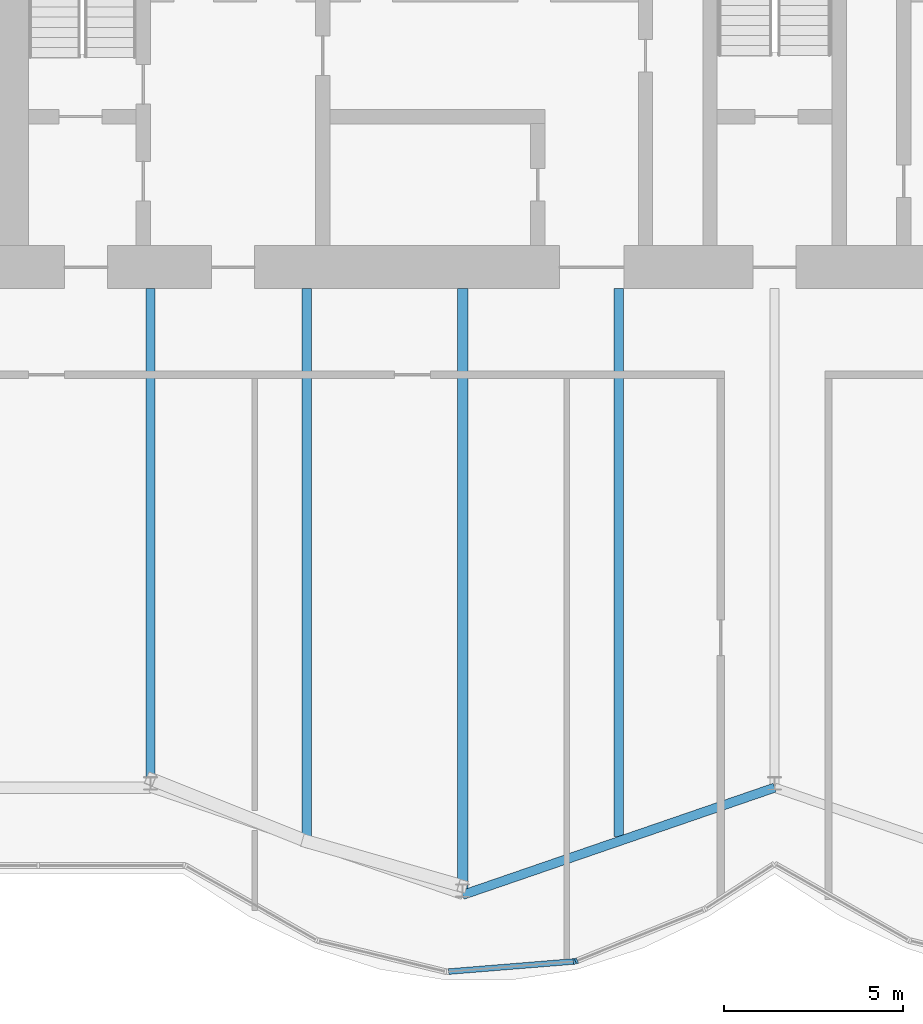
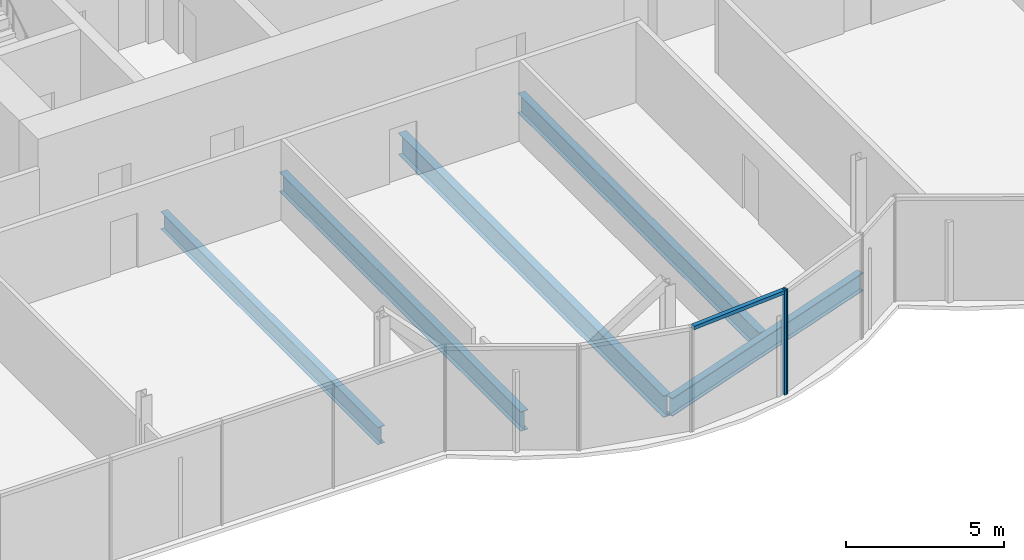
# One storey, part 6 of 19: 5 beams, 3 members, 1 element without a shape of its own.
"""IFC4 building model written with IfcOpenShell, lengths in metres."""

from ifc_helpers import new_model, si_unit, direction, frame, origin, origin_2d, place, context, subcontext, project, spatial, rectangle, i_section, extrude, material, material_profile, profile_set, type_object, element, aggregate, save


model = new_model("IFC4")

# Units and contexts
model_context = context("Model", 3, precision=1e-05, world=origin(), true_north=direction((0.0, 1.0)))
body_context = subcontext(model_context, "Body", "Model", "MODEL_VIEW")
ifc_project = project(units=[si_unit("LENGTHUNIT", "METRE"), si_unit("AREAUNIT", "SQUARE_METRE"), si_unit("VOLUMEUNIT", "CUBIC_METRE"), si_unit("PLANEANGLEUNIT", "RADIAN"), si_unit("MASSUNIT", "GRAM", prefix="KILO")], contexts=[model_context])

# Site, building, storey
site_placement = place(None, origin())
site = spatial("IfcSite", under=ifc_project, at=site_placement, CompositionType="ELEMENT")
building_placement = place(site_placement, origin())
building = spatial("IfcBuilding", under=site, at=building_placement, Name="Bicima Exchange Tower", CompositionType="ELEMENT")
storey_placement = place(building_placement, frame((0.0, 0.0, 258.199951171875)))
storey = spatial("IfcBuildingStorey", under=building, at=storey_placement, Name="L58", CompositionType="ELEMENT", Elevation=258.199951171875)

# Beams
ifc_material_1 = material(Name="Steel ASTM A992 Gr 50", Category="steel")
ifc_material_profile_1 = material_profile(ifc_material_1, i_section(OverallWidth=0.25390625, OverallDepth=0.67822265625, WebThickness=0.01171875, FlangeThickness=0.016357421875, at=origin_2d()))
ifc_profile_set_1 = profile_set([ifc_material_profile_1], Name="Steel ASTM A992 Gr 50")
beam_type_1 = type_object("IfcBeamType", Name="Floor beam W27x84", PredefinedType="JOIST", material=ifc_profile_set_1)
beam_1_placement = place(storey_placement, frame((-17.39990234375, -13.0, -0.489013671875), z_axis=(0.0, -1.0, 0.0), x_axis=(1.0, 0.0, 0.0)))
element("IfcBeam", 1, at=beam_1_placement, inside=storey, type_object=beam_type_1, Name="Floor beam", PredefinedType="JOIST", context=body_context, shape_type="SweptSolid", body=[
    extrude(i_section(OverallWidth=0.25390625, OverallDepth=0.67822265625, WebThickness=0.01171875, FlangeThickness=0.016357421875, at=origin_2d()), origin(), (0.0, 0.0, 1.0), 13.74951171875),
])
ifc_material_profile_2 = material_profile(ifc_material_1, i_section(OverallWidth=0.2666015625, OverallDepth=0.75439453125, WebThickness=0.01318359375, FlangeThickness=0.01708984375, at=origin_2d()))
ifc_profile_set_2 = profile_set([ifc_material_profile_2], Name="Steel ASTM A992 Gr 50")
beam_type_2 = type_object("IfcBeamType", Name="Floor beam W30x99", PredefinedType="JOIST", material=ifc_profile_set_2)
for number, where, z_axis, x_axis, name in (
    (2, (-13.050048828125, -13.0, -0.527099609375), (0.0, -1.0, 0.0), (1.0, 0.0, 0.0), "Floor beam"),
    (3, (-4.35009765625, -13.0, -0.527099609375), (0.0, -1.0, 0.0), (1.0, 0.0, 0.0), "Floor beam"),
):
    element("IfcBeam", number, at=place(storey_placement, frame(where, z_axis=z_axis, x_axis=x_axis)), inside=storey, type_object=beam_type_2, Name=name, PredefinedType="JOIST", context=body_context, shape_type="SweptSolid", body=[
        extrude(i_section(OverallWidth=0.2666015625, OverallDepth=0.75439453125, WebThickness=0.01318359375, FlangeThickness=0.01708984375, at=origin_2d()), origin(), (0.0, 0.0, 1.0), 15.27197265625),
    ])
ifc_material_profile_3 = material_profile(ifc_material_1, i_section(OverallWidth=0.2919921875, OverallDepth=0.835693359375, WebThickness=0.013916015625, FlangeThickness=0.018798828125, at=origin_2d()))
ifc_profile_set_3 = profile_set([ifc_material_profile_3], Name="Steel ASTM A992 Gr 50")
beam_type_3 = type_object("IfcBeamType", Name="Floor beam W33x118", PredefinedType="JOIST", material=ifc_profile_set_3)
beam_2_placement = place(storey_placement, frame((-8.699951171875, -13.0, -0.56787109375), z_axis=(0.0, -1.0, 0.0), x_axis=(1.0, 0.0, 0.0)))
element("IfcBeam", 4, at=beam_2_placement, inside=storey, type_object=beam_type_3, Name="Floor beam", PredefinedType="JOIST", context=body_context, shape_type="SweptSolid", body=[
    extrude(i_section(OverallWidth=0.2919921875, OverallDepth=0.835693359375, WebThickness=0.013916015625, FlangeThickness=0.018798828125, at=origin_2d()), origin(), (0.0, 0.0, 1.0), 16.767333984375),
])
ifc_material_profile_4 = material_profile(ifc_material_1, i_section(OverallWidth=0.256591796875, OverallDepth=0.693359375, WebThickness=0.014404296875, FlangeThickness=0.023681640625, at=origin_2d()))
ifc_profile_set_4 = profile_set([ifc_material_profile_4], Name="Steel ASTM A992 Gr 50")
beam_type_4 = type_object("IfcBeamType", Name="Front girder W27x114", PredefinedType="BEAM", material=ifc_profile_set_4)
beam_3_placement = place(storey_placement, frame((-8.699951171875, -29.903076171875, -0.49658203125), z_axis=(0.945674616091, 0.32511462668, 0.0), x_axis=(-0.32511462668, 0.945674616091, 0.0)))
element("IfcBeam", 5, at=beam_3_placement, inside=storey, type_object=beam_type_4, Name="Front girder", PredefinedType="BEAM", context=body_context, shape_type="SweptSolid", body=[
    extrude(i_section(OverallWidth=0.256591796875, OverallDepth=0.693359375, WebThickness=0.014404296875, FlangeThickness=0.023681640625, at=origin_2d()), origin(), (0.0, 0.0, 1.0), 9.19970703125),
])

# Curtain wall, members
ifc_material_2 = material(Name="Anodised bronze aluminium", Category="aluminium")
curtain_wall_type = type_object("IfcCurtainWallType", Name="Front glass wall", PredefinedType="NOTDEFINED", material=ifc_material_2)
curtain_wall_placement = place(storey_placement, origin())
curtain_wall = element("IfcCurtainWall", 6, at=curtain_wall_placement, inside=storey, type_object=curtain_wall_type, Name="Front glass wall L58 run 6", PredefinedType="NOTDEFINED")
ifc_material_profile_5 = material_profile(ifc_material_2, rectangle(XDim=0.159912109375, YDim=0.06005859375, at=origin_2d()))
ifc_profile_set_5 = profile_set([ifc_material_profile_5], Name="Anodised bronze aluminium")
member_type_1 = type_object("IfcMemberType", Name="Front glass wall mullion 60 x 160", PredefinedType="MULLION", material=ifc_profile_set_5)
member_1_placement = place(storey_placement, frame((-5.583984375, -31.7568359375, 0.0), z_axis=(0.0, 0.0, 1.0), x_axis=(-0.080588612633, 0.99674744821, 0.0)))
member_1 = element("IfcMember", 7, at=member_1_placement, type_object=member_type_1, Name="Front glass wall mullion 2", PredefinedType="MULLION", context=body_context, shape_type="SweptSolid", body=[
    extrude(rectangle(XDim=0.159912109375, YDim=0.06005859375, at=origin_2d()), origin(), (0.0, 0.0, 1.0), 4.050048828125),
])
member_2_placement = place(storey_placement, frame((-5.526123046875, -31.7431640625, 0.0), z_axis=(0.0, 0.0, 1.0), x_axis=(-0.374705304, 0.92714396679, 0.0)))
member_2 = element("IfcMember", 8, at=member_2_placement, type_object=member_type_1, Name="Front glass wall mullion 1", PredefinedType="MULLION", context=body_context, shape_type="SweptSolid", body=[
    extrude(rectangle(XDim=0.159912109375, YDim=0.06005859375, at=origin_2d()), origin(), (0.0, 0.0, 1.0), 4.050048828125),
])
ifc_material_profile_6 = material_profile(ifc_material_2, rectangle(XDim=0.159912109375, YDim=0.139892578125, at=origin_2d()))
ifc_profile_set_6 = profile_set([ifc_material_profile_6], Name="Anodised bronze aluminium")
member_type_2 = type_object("IfcMemberType", Name="Front glass wall transom 140 x 160", PredefinedType="USERDEFINED", material=ifc_profile_set_6)
member_3_placement = place(storey_placement, frame((-9.08837890625, -32.040283203125, 3.97998046875), z_axis=(0.9967456465, 0.080610893699, 0.0), x_axis=(-0.080610893699, 0.9967456465, 0.0)))
member_3 = element("IfcMember", 9, at=member_3_placement, type_object=member_type_2, Name="Front glass wall transom 1.1", ObjectType="TRANSOM", PredefinedType="USERDEFINED", context=body_context, shape_type="SweptSolid", body=[
    extrude(rectangle(XDim=0.159912109375, YDim=0.139892578125, at=origin_2d()), origin(), (0.0, 0.0, 1.0), 3.48583984375),
])
aggregate(curtain_wall, [member_1, member_3, member_2])

save(model, "model.ifc")
